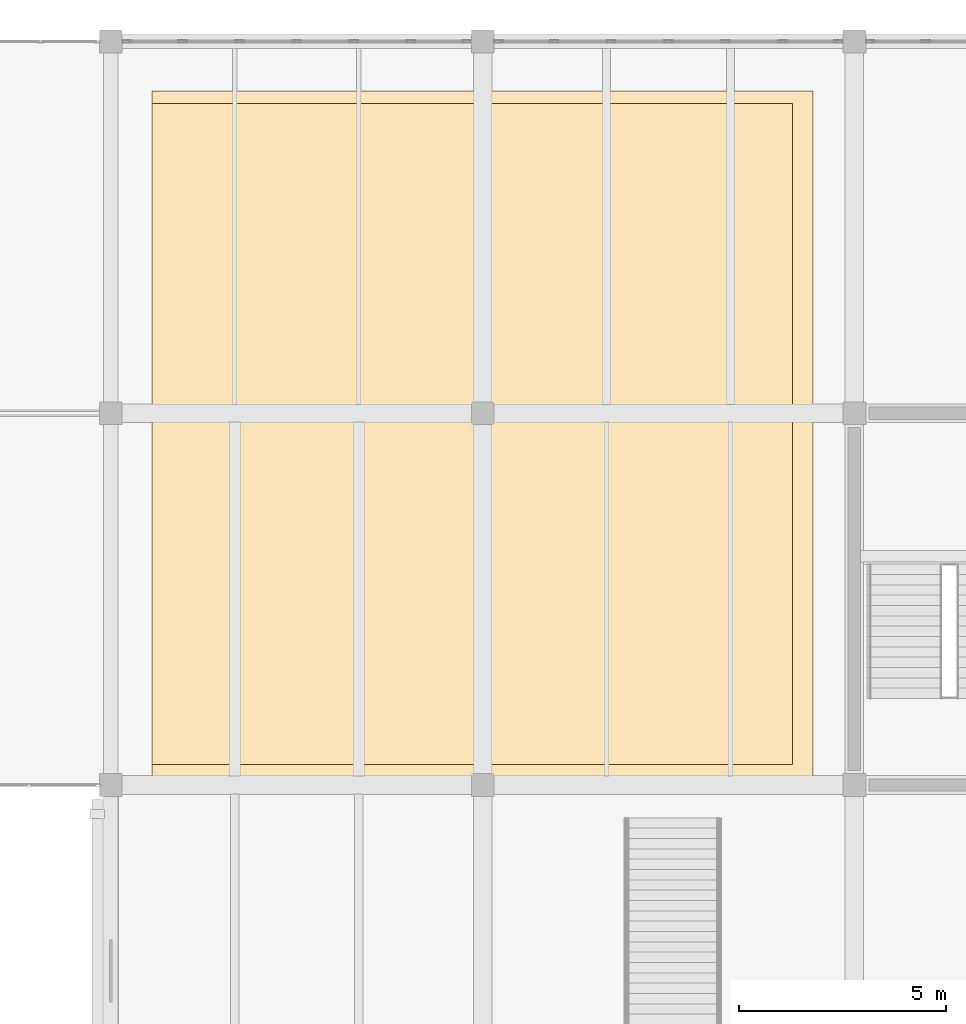
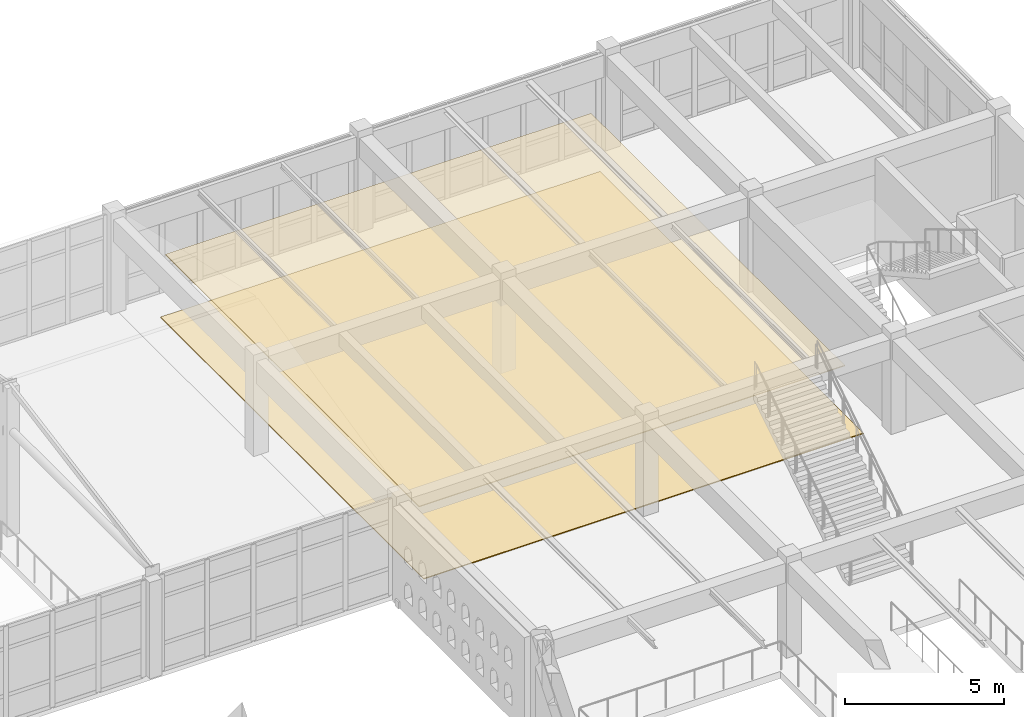
# One storey, part 156 of 156: 2 coverings.
"""IFC4 building model written with IfcOpenShell, lengths in metres."""

from ifc_helpers import new_model, si_unit, direction, frame, origin, place, context, subcontext, project, spatial, polyline, outline, extrude, material, layer, layer_set, type_object, element, save


model = new_model("IFC4")

# Units and contexts
model_context = context("Model", 3, precision=1e-05, world=origin(), true_north=direction((0.0, 1.0)))
body_context = subcontext(model_context, "Body", "Model", "MODEL_VIEW")
ifc_project = project(units=[si_unit("LENGTHUNIT", "METRE"), si_unit("AREAUNIT", "SQUARE_METRE"), si_unit("VOLUMEUNIT", "CUBIC_METRE"), si_unit("PLANEANGLEUNIT", "RADIAN"), si_unit("MASSUNIT", "GRAM", prefix="KILO")], contexts=[model_context])

# Site, building, storey
site_placement = place(None, origin())
site = spatial("IfcSite", under=ifc_project, at=site_placement, CompositionType="ELEMENT")
building_placement = place(site_placement, origin())
building = spatial("IfcBuilding", under=site, at=building_placement, Name="Ornek Quay Market", CompositionType="ELEMENT")
storey_placement = place(building_placement, frame((0.0, 0.0, 4.5)))
storey = spatial("IfcBuildingStorey", under=building, at=storey_placement, Name="L01", CompositionType="ELEMENT", Elevation=4.5)

# Coverings
ifc_material_1 = material(Name="Moisture-resistant acoustic gypsum ceiling", Category="other")
ifc_layer_1 = layer(ifc_material_1, 0.030029296875, Name="Moisture-resistant acoustic gypsum ceiling", Category="other")
ifc_layer_set_1 = layer_set([ifc_layer_1], Name="Moisture-resistant acoustic gypsum ceiling")
covering_type_1 = type_object("IfcCoveringType", Name="COV-CEIL-GYP-30", PredefinedType="CEILING", material=ifc_layer_set_1)
covering_1_placement = place(storey_placement, frame((0.0, 0.0, 2.60009765625)))
element("IfcCovering", 1, at=covering_1_placement, inside=storey, type_object=covering_type_1, Name="Suspended acoustic ceiling CLG-07", PredefinedType="CEILING", context=body_context, shape_type="SweptSolid", body=[
    extrude(outline(polyline([(154.0, 92.5), (169.5, 92.5), (169.5, 108.5), (154.0, 108.5), (154.0, 92.5)])), origin(), (0.0, 0.0, 1.0), 0.02978515625),
])
ifc_material_2 = material(Name="Polished granite-aggregate terrazzo flooring", Category="masonry")
ifc_layer_2 = layer(ifc_material_2, 0.034912109375, Name="Polished granite-aggregate terrazzo flooring", Category="masonry")
ifc_layer_set_2 = layer_set([ifc_layer_2], Name="Polished granite-aggregate terrazzo flooring")
covering_type_2 = type_object("IfcCoveringType", Name="COV-FLR-TERRAZZO-35", PredefinedType="FLOORING", material=ifc_layer_set_2)
covering_2_placement = place(storey_placement, origin())
element("IfcCovering", 2, at=covering_2_placement, inside=storey, type_object=covering_type_2, Name="Finished flooring FLG-17", PredefinedType="FLOORING", context=body_context, shape_type="SweptSolid", body=[
    extrude(outline(polyline([(154.0, 92.199951171875), (170.0, 92.199951171875), (170.0, 108.800048828125), (154.0, 108.800048828125), (154.0, 92.199951171875)])), origin(), (0.0, 0.0, 1.0), 0.034912109375),
])

save(model, "model.ifc")
